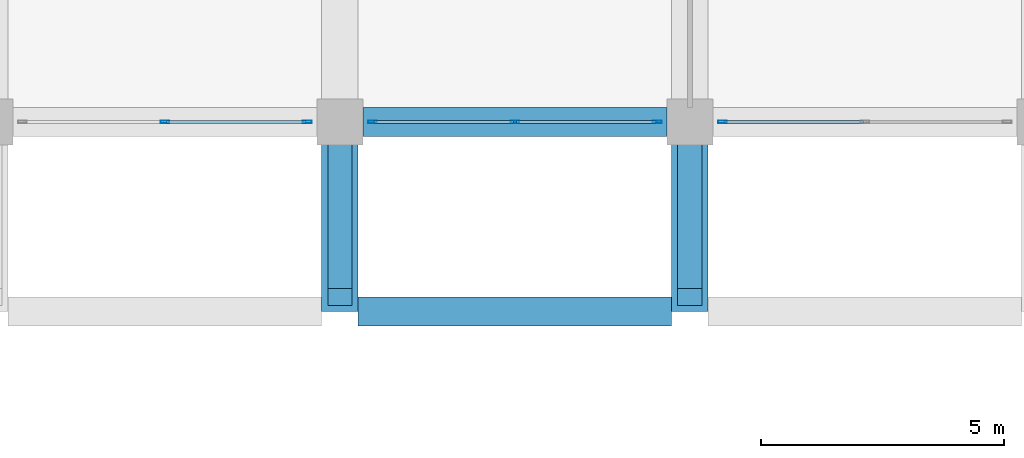
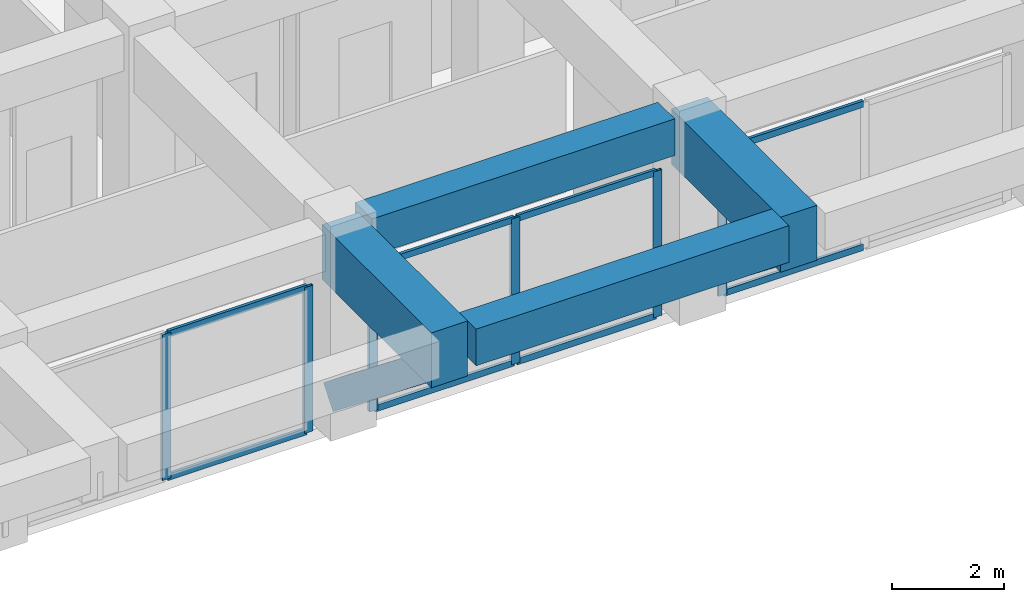
# One storey, part 13 of 54: 16 members, 4 beams, 3 elements without a shape of their own.
"""IFC4 building model written with IfcOpenShell, lengths in metres."""

from ifc_helpers import new_model, si_unit, direction, frame, origin, origin_2d, place, context, subcontext, project, spatial, rectangle, hollow_rectangle, extrude, material, material_profile, profile_set, type_object, element, aggregate, save


model = new_model("IFC4")

# Units and contexts
model_context = context("Model", 3, precision=1e-05, world=origin(), true_north=direction((0.0, 1.0)))
body_context = subcontext(model_context, "Body", "Model", "MODEL_VIEW")
ifc_project = project(units=[si_unit("LENGTHUNIT", "METRE"), si_unit("AREAUNIT", "SQUARE_METRE"), si_unit("VOLUMEUNIT", "CUBIC_METRE"), si_unit("PLANEANGLEUNIT", "RADIAN"), si_unit("MASSUNIT", "GRAM", prefix="KILO")], contexts=[model_context])

# Site, building, storey
site_placement = place(None, origin())
site = spatial("IfcSite", under=ifc_project, at=site_placement, CompositionType="ELEMENT")
building_placement = place(site_placement, origin())
building = spatial("IfcBuilding", under=site, at=building_placement, Name="Kazehaya Institute of Natural Sciences", CompositionType="ELEMENT")
storey_placement = place(building_placement, frame((0.0, 0.0, 10.43994140625)))
storey = spatial("IfcBuildingStorey", under=building, at=storey_placement, Name="L02", CompositionType="ELEMENT", Elevation=10.43994140625)

# Beams
ifc_material_1 = material(Name="Concrete Fc36", Category="concrete")
ifc_material_profile_1 = material_profile(ifc_material_1, rectangle(XDim=0.60009765625, YDim=0.800048828125, at=origin_2d()), Name="RC-600x800")
ifc_profile_set_1 = profile_set([ifc_material_profile_1], Name="Concrete Fc36")
beam_type_1 = type_object("IfcBeamType", Name="BM-G-600x800", PredefinedType="BEAM", material=ifc_profile_set_1)
beam_1_placement = place(storey_placement, frame((90.97509765625, 10.10009765625, 4.010009765625), z_axis=(1.0, 0.0, 0.0), x_axis=(0.0, 1.0, 0.0)))
element("IfcBeam", 1, at=beam_1_placement, inside=storey, type_object=beam_type_1, Name="L02 primary X girder BMX-L02-906-101", PredefinedType="BEAM", context=body_context, shape_type="SweptSolid", body=[
    extrude(rectangle(XDim=0.60009765625, YDim=0.800048828125, at=origin_2d()), origin(), (0.0, 0.0, 1.0), 6.449951171875),
])
beam_2_placement = place(storey_placement, frame((91.074951171875, 14.0, 4.010009765625), z_axis=(1.0, 0.0, 0.0), x_axis=(0.0, 1.0, 0.0)))
element("IfcBeam", 2, at=beam_2_placement, inside=storey, type_object=beam_type_1, Name="L02 primary X girder BMX-L02-906-140", PredefinedType="BEAM", context=body_context, shape_type="SweptSolid", body=[
    extrude(rectangle(XDim=0.60009765625, YDim=0.800048828125, at=origin_2d()), origin(), (0.0, 0.0, 1.0), 6.25),
])
ifc_material_2 = material(Name="Concrete Fc42", Category="concrete")
ifc_material_profile_2 = material_profile(ifc_material_2, rectangle(XDim=0.75, YDim=1.199951171875, at=origin_2d()), Name="RC-750x1200")
ifc_profile_set_2 = profile_set([ifc_material_profile_2], Name="Concrete Fc42")
beam_type_2 = type_object("IfcBeamType", Name="BM-TG-750x1200", PredefinedType="BEAM", material=ifc_profile_set_2)
for number, where, z_axis, x_axis, name in (
    (3, (90.60009765625, 10.10009765625, 3.81005859375), (0.0, 1.0, 0.0), (-1.0, 0.0, 0.0), "L02 cantilever transfer girder 1239"),
    (4, (97.800048828125, 10.10009765625, 3.81005859375), (0.0, 1.0, 0.0), (-1.0, 0.0, 0.0), "L02 cantilever transfer girder 1247"),
):
    element("IfcBeam", number, at=place(storey_placement, frame(where, z_axis=z_axis, x_axis=x_axis)), inside=storey, type_object=beam_type_2, Name=name, PredefinedType="BEAM", context=body_context, shape_type="SweptSolid", body=[
        extrude(rectangle(XDim=0.75, YDim=1.199951171875, at=origin_2d()), origin(), (0.0, 0.0, 1.0), 3.89990234375),
    ])

# Curtain wall, member
ifc_material_3 = material(Name="Aluminium alloy A6063S-T5", Category="aluminium")
curtain_wall_type = type_object("IfcCurtainWallType", Name="CW-SYS-03", PredefinedType="NOTDEFINED", material=ifc_material_3)
curtain_wall_1_placement = place(storey_placement, origin())
curtain_wall_1 = element("IfcCurtainWall", 5, at=curtain_wall_1_placement, inside=storey, type_object=curtain_wall_type, Name="L02 unitised curtain wall CW-L02-050", PredefinedType="NOTDEFINED")
ifc_material_profile_3 = material_profile(ifc_material_3, hollow_rectangle(XDim=0.06005859375, YDim=0.179931640625, WallThickness=0.00390625, at=origin_2d()), Name="ALU-60x180x4")
ifc_profile_set_3 = profile_set([ifc_material_profile_3], Name="Aluminium alloy A6063S-T5")
member_type_1 = type_object("IfcMemberType", Name="CWM-180", PredefinedType="MULLION", material=ifc_profile_set_3)
member_1_placement = place(storey_placement, frame((98.469970703125, 14.0, 0.0), z_axis=(0.0, 0.0, 1.0), x_axis=(0.0, -1.0, 0.0)))
member_1 = element("IfcMember", 6, at=member_1_placement, type_object=member_type_1, Name="CW03 mullion 3", PredefinedType="MULLION", context=body_context, shape_type="SweptSolid", body=[
    extrude(hollow_rectangle(XDim=0.06005859375, YDim=0.179931640625, WallThickness=0.00390625, at=origin_2d()), origin(), (0.0, 0.0, 1.0), 3.18017578125),
])

# Curtain wall, members
curtain_wall_2_placement = place(storey_placement, origin())
curtain_wall_2 = element("IfcCurtainWall", 7, at=curtain_wall_2_placement, inside=storey, type_object=curtain_wall_type, Name="L02 unitised curtain wall CW-L02-051", PredefinedType="NOTDEFINED")
member_2_placement = place(storey_placement, frame((97.1298828125, 14.0, 0.0), z_axis=(0.0, 0.0, 1.0), x_axis=(0.0, -1.0, 0.0)))
member_2 = element("IfcMember", 8, at=member_2_placement, type_object=member_type_1, Name="CW03 mullion 1", PredefinedType="MULLION", context=body_context, shape_type="SweptSolid", body=[
    extrude(hollow_rectangle(XDim=0.06005859375, YDim=0.179931640625, WallThickness=0.00390625, at=origin_2d()), origin(), (0.0, 0.0, 1.0), 3.18017578125),
])
member_3_placement = place(storey_placement, frame((94.199951171875, 14.0, 0.0), z_axis=(0.0, 0.0, 1.0), x_axis=(0.0, -1.0, 0.0)))
member_3 = element("IfcMember", 9, at=member_3_placement, type_object=member_type_1, Name="CW03 mullion 2", PredefinedType="MULLION", context=body_context, shape_type="SweptSolid", body=[
    extrude(hollow_rectangle(XDim=0.06005859375, YDim=0.179931640625, WallThickness=0.00390625, at=origin_2d()), origin(), (0.0, 0.0, 1.0), 3.18017578125),
])
member_4_placement = place(storey_placement, frame((91.27001953125, 14.0, 0.0), z_axis=(0.0, 0.0, 1.0), x_axis=(0.0, -1.0, 0.0)))
member_4 = element("IfcMember", 10, at=member_4_placement, type_object=member_type_1, Name="CW03 mullion 3", PredefinedType="MULLION", context=body_context, shape_type="SweptSolid", body=[
    extrude(hollow_rectangle(XDim=0.06005859375, YDim=0.179931640625, WallThickness=0.00390625, at=origin_2d()), origin(), (0.0, 0.0, 1.0), 3.18017578125),
])

curtain_wall_3_placement = place(storey_placement, origin())
curtain_wall_3 = element("IfcCurtainWall", 11, at=curtain_wall_3_placement, inside=storey, type_object=curtain_wall_type, Name="L02 unitised curtain wall CW-L02-052", PredefinedType="NOTDEFINED")
member_5_placement = place(storey_placement, frame((89.929931640625, 14.0, 0.0), z_axis=(0.0, 0.0, 1.0), x_axis=(0.0, -1.0, 0.0)))
member_5 = element("IfcMember", 12, at=member_5_placement, type_object=member_type_1, Name="CW03 mullion 1", PredefinedType="MULLION", context=body_context, shape_type="SweptSolid", body=[
    extrude(hollow_rectangle(XDim=0.06005859375, YDim=0.179931640625, WallThickness=0.00390625, at=origin_2d()), origin(), (0.0, 0.0, 1.0), 3.18017578125),
])
member_6_placement = place(storey_placement, frame((87.0, 14.0, 0.0), z_axis=(0.0, 0.0, 1.0), x_axis=(0.0, -1.0, 0.0)))
member_6 = element("IfcMember", 13, at=member_6_placement, type_object=member_type_1, Name="CW03 mullion 2", PredefinedType="MULLION", context=body_context, shape_type="SweptSolid", body=[
    extrude(hollow_rectangle(XDim=0.06005859375, YDim=0.179931640625, WallThickness=0.00390625, at=origin_2d()), origin(), (0.0, 0.0, 1.0), 3.18017578125),
])

# Member
ifc_material_profile_4 = material_profile(ifc_material_3, hollow_rectangle(XDim=0.06005859375, YDim=0.139892578125, WallThickness=0.00341796875, at=origin_2d()), Name="ALU-60x140x3.5")
ifc_profile_set_4 = profile_set([ifc_material_profile_4], Name="Aluminium alloy A6063S-T5")
member_type_2 = type_object("IfcMemberType", Name="CWT-140", PredefinedType="USERDEFINED", material=ifc_profile_set_4)
member_7_placement = place(storey_placement, frame((101.3701171875, 14.0, 0.030029296875), z_axis=(-1.0, 0.0, 0.0), x_axis=(0.0, -1.0, 0.0)))
member_7 = element("IfcMember", 14, at=member_7_placement, type_object=member_type_2, Name="CW03 transom 2.1", ObjectType="TRANSOM", PredefinedType="USERDEFINED", context=body_context, shape_type="SweptSolid", body=[
    extrude(hollow_rectangle(XDim=0.06005859375, YDim=0.139892578125, WallThickness=0.00341796875, at=origin_2d()), origin(), (0.0, 0.0, 1.0), 2.8701171875),
])

member_8_placement = place(storey_placement, frame((101.3701171875, 14.0, 3.150146484375), z_axis=(-1.0, 0.0, 0.0), x_axis=(0.0, -1.0, 0.0)))
member_8 = element("IfcMember", 15, at=member_8_placement, type_object=member_type_2, Name="CW03 transom 2.2", ObjectType="TRANSOM", PredefinedType="USERDEFINED", context=body_context, shape_type="SweptSolid", body=[
    extrude(hollow_rectangle(XDim=0.06005859375, YDim=0.139892578125, WallThickness=0.00341796875, at=origin_2d()), origin(), (0.0, 0.0, 1.0), 2.8701171875),
])

aggregate(curtain_wall_1, [member_1, member_7, member_8])

member_9_placement = place(storey_placement, frame((97.10009765625, 14.0, 0.030029296875), z_axis=(-1.0, 0.0, 0.0), x_axis=(0.0, -1.0, 0.0)))
member_9 = element("IfcMember", 16, at=member_9_placement, type_object=member_type_2, Name="CW03 transom 1.1", ObjectType="TRANSOM", PredefinedType="USERDEFINED", context=body_context, shape_type="SweptSolid", body=[
    extrude(hollow_rectangle(XDim=0.06005859375, YDim=0.139892578125, WallThickness=0.00341796875, at=origin_2d()), origin(), (0.0, 0.0, 1.0), 2.8701171875),
])

member_10_placement = place(storey_placement, frame((97.10009765625, 14.0, 3.150146484375), z_axis=(-1.0, 0.0, 0.0), x_axis=(0.0, -1.0, 0.0)))
member_10 = element("IfcMember", 17, at=member_10_placement, type_object=member_type_2, Name="CW03 transom 1.2", ObjectType="TRANSOM", PredefinedType="USERDEFINED", context=body_context, shape_type="SweptSolid", body=[
    extrude(hollow_rectangle(XDim=0.06005859375, YDim=0.139892578125, WallThickness=0.00341796875, at=origin_2d()), origin(), (0.0, 0.0, 1.0), 2.8701171875),
])

member_11_placement = place(storey_placement, frame((94.169921875, 14.0, 0.030029296875), z_axis=(-1.0, 0.0, 0.0), x_axis=(0.0, -1.0, 0.0)))
member_11 = element("IfcMember", 18, at=member_11_placement, type_object=member_type_2, Name="CW03 transom 2.1", ObjectType="TRANSOM", PredefinedType="USERDEFINED", context=body_context, shape_type="SweptSolid", body=[
    extrude(hollow_rectangle(XDim=0.06005859375, YDim=0.139892578125, WallThickness=0.00341796875, at=origin_2d()), origin(), (0.0, 0.0, 1.0), 2.869873046875),
])

member_12_placement = place(storey_placement, frame((94.169921875, 14.0, 3.150146484375), z_axis=(-1.0, 0.0, 0.0), x_axis=(0.0, -1.0, 0.0)))
member_12 = element("IfcMember", 19, at=member_12_placement, type_object=member_type_2, Name="CW03 transom 2.2", ObjectType="TRANSOM", PredefinedType="USERDEFINED", context=body_context, shape_type="SweptSolid", body=[
    extrude(hollow_rectangle(XDim=0.06005859375, YDim=0.139892578125, WallThickness=0.00341796875, at=origin_2d()), origin(), (0.0, 0.0, 1.0), 2.869873046875),
])

aggregate(curtain_wall_2, [member_2, member_3, member_4, member_9, member_10, member_11, member_12])

member_13_placement = place(storey_placement, frame((89.89990234375, 14.0, 0.030029296875), z_axis=(-1.0, 0.0, 0.0), x_axis=(0.0, -1.0, 0.0)))
member_13 = element("IfcMember", 20, at=member_13_placement, type_object=member_type_2, Name="CW03 transom 1.1", ObjectType="TRANSOM", PredefinedType="USERDEFINED", context=body_context, shape_type="SweptSolid", body=[
    extrude(hollow_rectangle(XDim=0.06005859375, YDim=0.139892578125, WallThickness=0.00341796875, at=origin_2d()), origin(), (0.0, 0.0, 1.0), 2.869873046875),
])

member_14_placement = place(storey_placement, frame((89.89990234375, 14.0, 3.150146484375), z_axis=(-1.0, 0.0, 0.0), x_axis=(0.0, -1.0, 0.0)))
member_14 = element("IfcMember", 21, at=member_14_placement, type_object=member_type_2, Name="CW03 transom 1.2", ObjectType="TRANSOM", PredefinedType="USERDEFINED", context=body_context, shape_type="SweptSolid", body=[
    extrude(hollow_rectangle(XDim=0.06005859375, YDim=0.139892578125, WallThickness=0.00341796875, at=origin_2d()), origin(), (0.0, 0.0, 1.0), 2.869873046875),
])

aggregate(curtain_wall_3, [member_5, member_6, member_13, member_14])

# Members
ifc_material_profile_5 = material_profile(ifc_material_2, rectangle(XDim=0.5, YDim=0.550048828125, at=origin_2d()), Name="RC-500x550")
ifc_profile_set_5 = profile_set([ifc_material_profile_5], Name="Concrete Fc42")
member_type_3 = type_object("IfcMemberType", Name="MEM-STRUT-RC500", PredefinedType="BRACE", material=ifc_profile_set_5)
for number, where, z_axis, x_axis, name in (
    (22, (90.60009765625, 14.0, 0.60009765625), (0.0, -0.783008919264, 0.622010476079), (1.0, 0.0, 0.0), "L02 raked cantilever strut 006"),
    (23, (97.800048828125, 14.0, 0.60009765625), (0.0, -0.783008919264, 0.622010476079), (1.0, 0.0, 0.0), "L02 raked cantilever strut 007"),
):
    element("IfcMember", number, at=place(storey_placement, frame(where, z_axis=z_axis, x_axis=x_axis)), inside=storey, type_object=member_type_3, Name=name, PredefinedType="BRACE", context=body_context, shape_type="SweptSolid", body=[
        extrude(rectangle(XDim=0.5, YDim=0.550048828125, at=origin_2d()), origin(), (0.0, 0.0, 1.0), 4.59765625),
    ])

save(model, "model.ifc")
